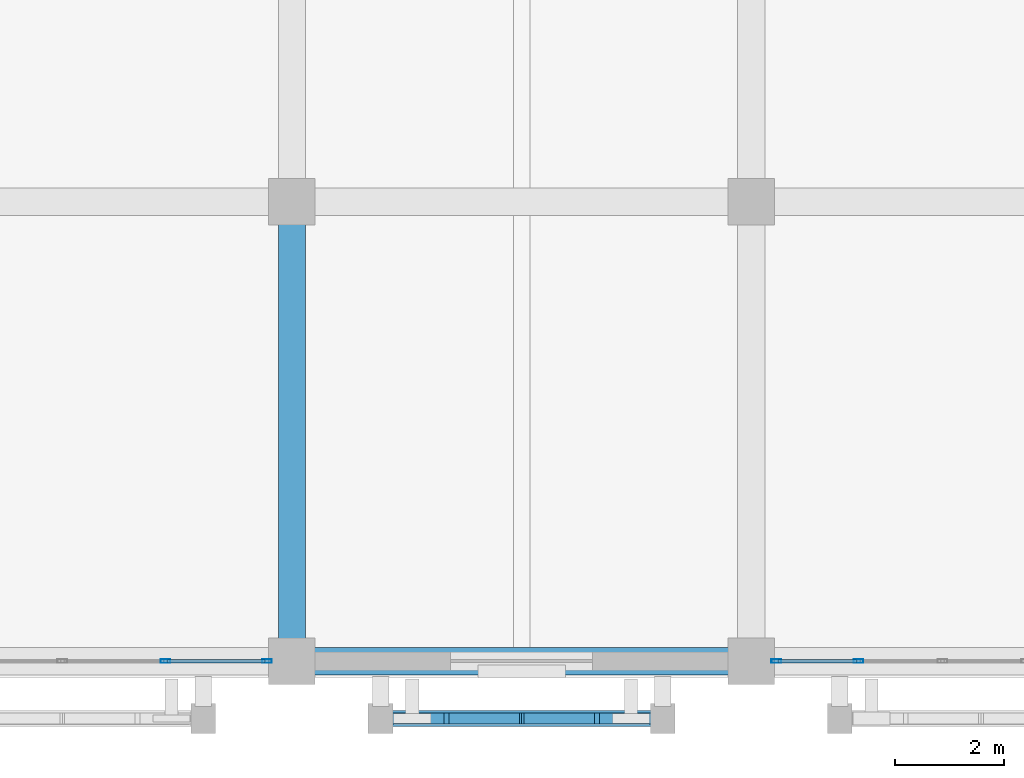
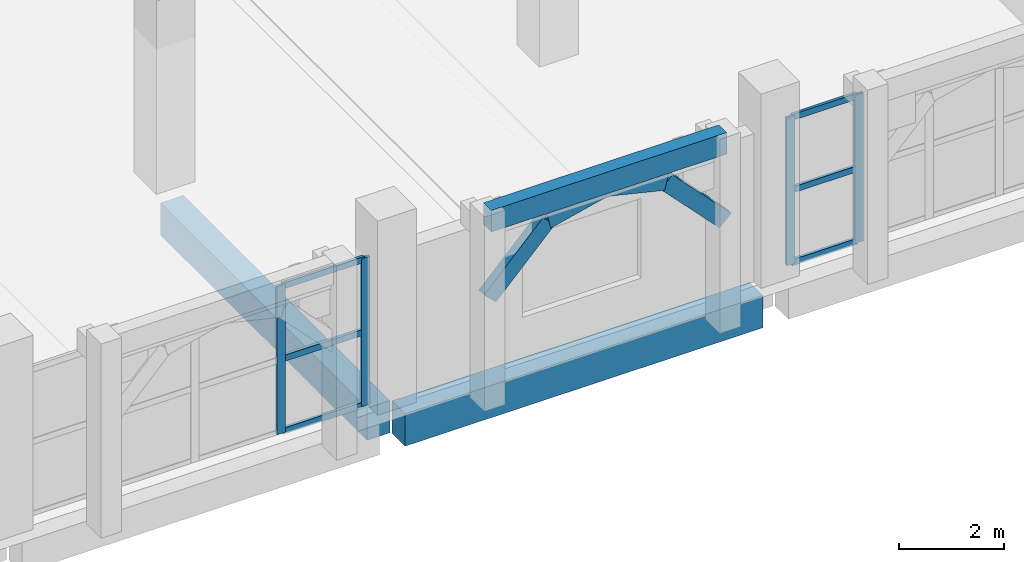
# One storey, part 15 of 137: 14 members, 3 beams, 2 elements without a shape of their own.
"""IFC4 building model written with IfcOpenShell, lengths in metres."""

from ifc_helpers import new_model, si_unit, direction, frame, origin, origin_2d, place, context, subcontext, project, spatial, rectangle, hollow_rectangle, extrude, material, layer, layer_set, material_profile, profile_set, type_object, element, aggregate, save


model = new_model("IFC4")

# Units and contexts
model_context = context("Model", 3, precision=1e-05, world=origin(), true_north=direction((0.0, 1.0)))
body_context = subcontext(model_context, "Body", "Model", "MODEL_VIEW")
ifc_project = project(units=[si_unit("LENGTHUNIT", "METRE"), si_unit("AREAUNIT", "SQUARE_METRE"), si_unit("VOLUMEUNIT", "CUBIC_METRE"), si_unit("PLANEANGLEUNIT", "RADIAN"), si_unit("MASSUNIT", "GRAM", prefix="KILO")], contexts=[model_context])

# Site, building, storey
site_placement = place(None, origin())
site = spatial("IfcSite", under=ifc_project, at=site_placement, CompositionType="ELEMENT")
building_placement = place(site_placement, origin())
building = spatial("IfcBuilding", under=site, at=building_placement, Name="Xazarin Passage Department Store", CompositionType="ELEMENT")
storey_placement = place(building_placement, frame((0.0, 0.0, 5.39990234375)))
storey = spatial("IfcBuildingStorey", under=building, at=storey_placement, Name="L01", CompositionType="ELEMENT", Elevation=5.39990234375)

# Curtain wall, members
ifc_material_1 = material(Name="Bronze anodised aluminium", Category="aluminium")
ifc_layer = layer(ifc_material_1, 0.18994140625)
ifc_layer_set = layer_set([ifc_layer], Name="Bronze anodised aluminium")
curtain_wall_type = type_object("IfcCurtainWallType", Name="ARC-CW-FDH1", PredefinedType="NOTDEFINED", material=ifc_layer_set)
curtain_wall_1_placement = place(storey_placement, origin())
curtain_wall_1 = element("IfcCurtainWall", 1, at=curtain_wall_1_placement, inside=storey, type_object=curtain_wall_type, Name="L01 V3 Curtain Wall 125", PredefinedType="NOTDEFINED")
ifc_material_profile_1 = material_profile(ifc_material_1, hollow_rectangle(XDim=0.06494140625, YDim=0.179931640625, WallThickness=0.00390625, at=origin_2d()), Name="ALU 65x180")
ifc_profile_set_1 = profile_set([ifc_material_profile_1], Name="Bronze anodised aluminium")
member_type_1 = type_object("IfcMemberType", Name="ARC-CWM-65x180", PredefinedType="MULLION", material=ifc_profile_set_1)
member_1_placement = place(storey_placement, frame((48.08740234375, 0.0, 0.0), z_axis=(0.0, 0.0, 1.0), x_axis=(0.0, 1.0, 0.0)))
member_1 = element("IfcMember", 2, at=member_1_placement, type_object=member_type_1, Name="CW5 mullion 4", PredefinedType="MULLION", context=body_context, shape_type="SweptSolid", body=[
    extrude(hollow_rectangle(XDim=0.06494140625, YDim=0.179931640625, WallThickness=0.00390625, at=origin_2d()), origin(), (0.0, 0.0, 1.0), 3.43017578125),
])
member_2_placement = place(storey_placement, frame((49.9423828125, 0.0, 0.0), z_axis=(0.0, 0.0, 1.0), x_axis=(0.0, 1.0, 0.0)))
member_2 = element("IfcMember", 3, at=member_2_placement, type_object=member_type_1, Name="CW5 mullion 5", PredefinedType="MULLION", context=body_context, shape_type="SweptSolid", body=[
    extrude(hollow_rectangle(XDim=0.06494140625, YDim=0.179931640625, WallThickness=0.00390625, at=origin_2d()), origin(), (0.0, 0.0, 1.0), 3.43017578125),
])

curtain_wall_2_placement = place(storey_placement, origin())
curtain_wall_2 = element("IfcCurtainWall", 4, at=curtain_wall_2_placement, inside=storey, type_object=curtain_wall_type, Name="L01 V3 Curtain Wall 126", PredefinedType="NOTDEFINED")
member_3_placement = place(storey_placement, frame((59.257568359375, 0.0, 0.0), z_axis=(0.0, 0.0, 1.0), x_axis=(0.0, 1.0, 0.0)))
member_3 = element("IfcMember", 5, at=member_3_placement, type_object=member_type_1, Name="CW5 mullion 1", PredefinedType="MULLION", context=body_context, shape_type="SweptSolid", body=[
    extrude(hollow_rectangle(XDim=0.06494140625, YDim=0.179931640625, WallThickness=0.00390625, at=origin_2d()), origin(), (0.0, 0.0, 1.0), 3.43017578125),
])
member_4_placement = place(storey_placement, frame((60.760009765625, 0.0, 0.0), z_axis=(0.0, 0.0, 1.0), x_axis=(0.0, 1.0, 0.0)))
member_4 = element("IfcMember", 6, at=member_4_placement, type_object=member_type_1, Name="CW5 mullion 2", PredefinedType="MULLION", context=body_context, shape_type="SweptSolid", body=[
    extrude(hollow_rectangle(XDim=0.06494140625, YDim=0.179931640625, WallThickness=0.00390625, at=origin_2d()), origin(), (0.0, 0.0, 1.0), 3.43017578125),
])

# Member
ifc_material_profile_2 = material_profile(ifc_material_1, hollow_rectangle(XDim=0.06494140625, YDim=0.139892578125, WallThickness=0.00390625, at=origin_2d()), Name="ALU 65x140")
ifc_profile_set_2 = profile_set([ifc_material_profile_2], Name="Bronze anodised aluminium")
member_type_2 = type_object("IfcMemberType", Name="ARC-CWT-65x140", PredefinedType="USERDEFINED", material=ifc_profile_set_2)
member_5_placement = place(storey_placement, frame((48.1201171875, 0.0, 0.03271484375), z_axis=(1.0, 0.0, 0.0), x_axis=(0.0, 1.0, 0.0)))
member_5 = element("IfcMember", 7, at=member_5_placement, type_object=member_type_2, Name="CW5 transom 4.1", ObjectType="TRANSOM", PredefinedType="USERDEFINED", context=body_context, shape_type="SweptSolid", body=[
    extrude(hollow_rectangle(XDim=0.06494140625, YDim=0.139892578125, WallThickness=0.00390625, at=origin_2d()), origin(), (0.0, 0.0, 1.0), 1.789794921875),
])

member_6_placement = place(storey_placement, frame((48.1201171875, 0.0, 1.715087890625), z_axis=(1.0, 0.0, 0.0), x_axis=(0.0, 1.0, 0.0)))
member_6 = element("IfcMember", 8, at=member_6_placement, type_object=member_type_2, Name="CW5 transom 4.2", ObjectType="TRANSOM", PredefinedType="USERDEFINED", context=body_context, shape_type="SweptSolid", body=[
    extrude(hollow_rectangle(XDim=0.06494140625, YDim=0.139892578125, WallThickness=0.00390625, at=origin_2d()), origin(), (0.0, 0.0, 1.0), 1.789794921875),
])

member_7_placement = place(storey_placement, frame((48.1201171875, 0.0, 3.397705078125), z_axis=(1.0, 0.0, 0.0), x_axis=(0.0, 1.0, 0.0)))
member_7 = element("IfcMember", 9, at=member_7_placement, type_object=member_type_2, Name="CW5 transom 4.3", ObjectType="TRANSOM", PredefinedType="USERDEFINED", context=body_context, shape_type="SweptSolid", body=[
    extrude(hollow_rectangle(XDim=0.06494140625, YDim=0.139892578125, WallThickness=0.00390625, at=origin_2d()), origin(), (0.0, 0.0, 1.0), 1.789794921875),
])

aggregate(curtain_wall_1, [member_1, member_2, member_5, member_6, member_7])

member_8_placement = place(storey_placement, frame((59.2900390625, 0.0, 0.03271484375), z_axis=(1.0, 0.0, 0.0), x_axis=(0.0, 1.0, 0.0)))
member_8 = element("IfcMember", 10, at=member_8_placement, type_object=member_type_2, Name="CW5 transom 1.1", ObjectType="TRANSOM", PredefinedType="USERDEFINED", context=body_context, shape_type="SweptSolid", body=[
    extrude(hollow_rectangle(XDim=0.06494140625, YDim=0.139892578125, WallThickness=0.00390625, at=origin_2d()), origin(), (0.0, 0.0, 1.0), 1.4375),
])

member_9_placement = place(storey_placement, frame((59.2900390625, 0.0, 1.715087890625), z_axis=(1.0, 0.0, 0.0), x_axis=(0.0, 1.0, 0.0)))
member_9 = element("IfcMember", 11, at=member_9_placement, type_object=member_type_2, Name="CW5 transom 1.2", ObjectType="TRANSOM", PredefinedType="USERDEFINED", context=body_context, shape_type="SweptSolid", body=[
    extrude(hollow_rectangle(XDim=0.06494140625, YDim=0.139892578125, WallThickness=0.00390625, at=origin_2d()), origin(), (0.0, 0.0, 1.0), 1.4375),
])

member_10_placement = place(storey_placement, frame((59.2900390625, 0.0, 3.397705078125), z_axis=(1.0, 0.0, 0.0), x_axis=(0.0, 1.0, 0.0)))
member_10 = element("IfcMember", 12, at=member_10_placement, type_object=member_type_2, Name="CW5 transom 1.3", ObjectType="TRANSOM", PredefinedType="USERDEFINED", context=body_context, shape_type="SweptSolid", body=[
    extrude(hollow_rectangle(XDim=0.06494140625, YDim=0.139892578125, WallThickness=0.00390625, at=origin_2d()), origin(), (0.0, 0.0, 1.0), 1.4375),
])

aggregate(curtain_wall_2, [member_3, member_4, member_8, member_9, member_10])

# Beams
ifc_material_2 = material(Name="Concrete C35/45", Category="concrete")
ifc_material_profile_3 = material_profile(ifc_material_2, rectangle(XDim=0.300048828125, YDim=0.5, at=origin_2d()), Name="RC 300x500")
ifc_profile_set_3 = profile_set([ifc_material_profile_3], Name="Concrete C35/45")
beam_type_1 = type_object("IfcBeamType", Name="STR-BM-LN300x500", PredefinedType="LINTEL", material=ifc_profile_set_3)
beam_placement = place(storey_placement, frame((52.02001953125, -1.050048828125, 4.25), z_axis=(1.0, 0.0, 0.0), x_axis=(0.0, 1.0, 0.0)))
element("IfcBeam", 13, at=beam_placement, inside=storey, type_object=beam_type_1, Name="L01 V3 Colonnade Spandrel Beam 032", PredefinedType="LINTEL", context=body_context, shape_type="SweptSolid", body=[
    extrude(rectangle(XDim=0.300048828125, YDim=0.5, at=origin_2d()), origin(), (0.0, 0.0, 1.0), 5.159912109375),
])
ifc_material_profile_4 = material_profile(ifc_material_2, rectangle(XDim=0.5, YDim=0.75, at=origin_2d()), Name="RC 500x750")
ifc_profile_set_4 = profile_set([ifc_material_profile_4], Name="Concrete C35/45")
beam_type_2 = type_object("IfcBeamType", Name="STR-BM-SP500x750", PredefinedType="SPANDREL", material=ifc_profile_set_4)
for number, where, z_axis, x_axis, name in (
    (14, (50.679931640625, 0.0, -0.69482421875), (1.0, 0.0, 0.0), (0.0, 1.0, 0.0), "L01 Grid Beam A/7-8"),
    (15, (50.39990234375, 0.280029296875, -0.69482421875), (0.0, 1.0, 0.0), (-1.0, 0.0, 0.0), "L01 Grid Beam 7/A-B"),
):
    element("IfcBeam", number, at=place(storey_placement, frame(where, z_axis=z_axis, x_axis=x_axis)), inside=storey, type_object=beam_type_2, Name=name, PredefinedType="SPANDREL", context=body_context, shape_type="SweptSolid", body=[
        extrude(rectangle(XDim=0.5, YDim=0.75, at=origin_2d()), origin(), (0.0, 0.0, 1.0), 7.840087890625),
    ])

# Members
ifc_material_3 = material(Name="Concrete C40/50", Category="concrete")
ifc_material_profile_5 = material_profile(ifc_material_3, rectangle(XDim=0.199951171875, YDim=0.360107421875, at=origin_2d()), Name="RC 200x360")
ifc_profile_set_5 = profile_set([ifc_material_profile_5], Name="Concrete C40/50")
member_type_3 = type_object("IfcMemberType", Name="STR-MEM-ARC360", PredefinedType="CHORD", material=ifc_profile_set_5)
member_11_placement = place(storey_placement, frame((52.02001953125, -1.050048828125, 2.43017578125), z_axis=(0.693460080602, 0.0, 0.720495049679), x_axis=(0.0, 1.0, 0.0)))
element("IfcMember", 16, at=member_11_placement, inside=storey, type_object=member_type_3, Name="L01 V3 Pierced Lattice Curved Arch 032.1", PredefinedType="CHORD", context=body_context, shape_type="SweptSolid", body=[
    extrude(rectangle(XDim=0.199951171875, YDim=0.360107421875, at=origin_2d()), origin(), (0.0, 0.0, 1.0), 1.8603515625),
])
member_12_placement = place(storey_placement, frame((53.31005859375, -1.050048828125, 3.7705078125), z_axis=(0.972393983317, 0.0, 0.233345111818), x_axis=(0.0, 1.0, 0.0)))
element("IfcMember", 17, at=member_12_placement, inside=storey, type_object=member_type_3, Name="L01 V3 Pierced Lattice Curved Arch 032.2", PredefinedType="CHORD", context=body_context, shape_type="SweptSolid", body=[
    extrude(rectangle(XDim=0.199951171875, YDim=0.360107421875, at=origin_2d()), origin(), (0.0, 0.0, 1.0), 1.32666015625),
])
member_13_placement = place(storey_placement, frame((54.60009765625, -1.050048828125, 4.080078125), z_axis=(0.972383960415, 0.0, -0.233386875224), x_axis=(0.0, 1.0, 0.0)))
element("IfcMember", 18, at=member_13_placement, inside=storey, type_object=member_type_3, Name="L01 V3 Pierced Lattice Curved Arch 032.3", PredefinedType="CHORD", context=body_context, shape_type="SweptSolid", body=[
    extrude(rectangle(XDim=0.199951171875, YDim=0.360107421875, at=origin_2d()), origin(), (0.0, 0.0, 1.0), 1.326416015625),
])
member_14_placement = place(storey_placement, frame((55.889892578125, -1.050048828125, 3.7705078125), z_axis=(0.693460080602, 0.0, -0.720495049679), x_axis=(0.0, 1.0, 0.0)))
element("IfcMember", 19, at=member_14_placement, inside=storey, type_object=member_type_3, Name="L01 V3 Pierced Lattice Curved Arch 032.4", PredefinedType="CHORD", context=body_context, shape_type="SweptSolid", body=[
    extrude(rectangle(XDim=0.199951171875, YDim=0.360107421875, at=origin_2d()), origin(), (0.0, 0.0, 1.0), 1.8603515625),
])

save(model, "model.ifc")
